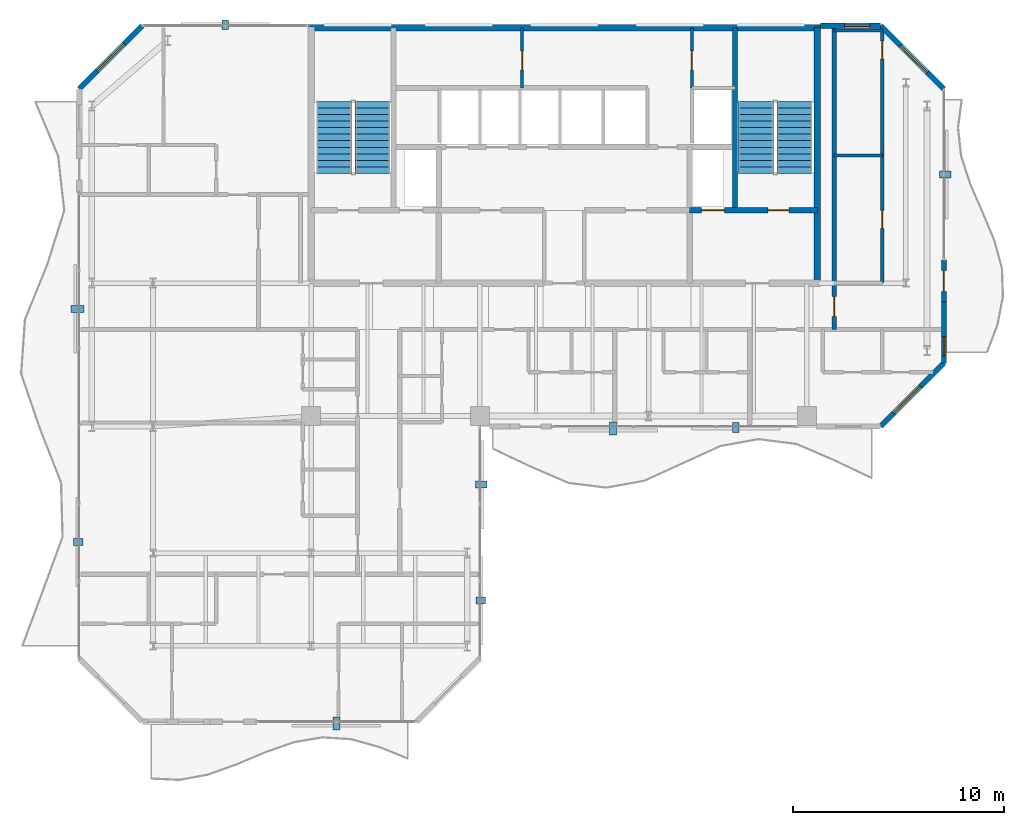
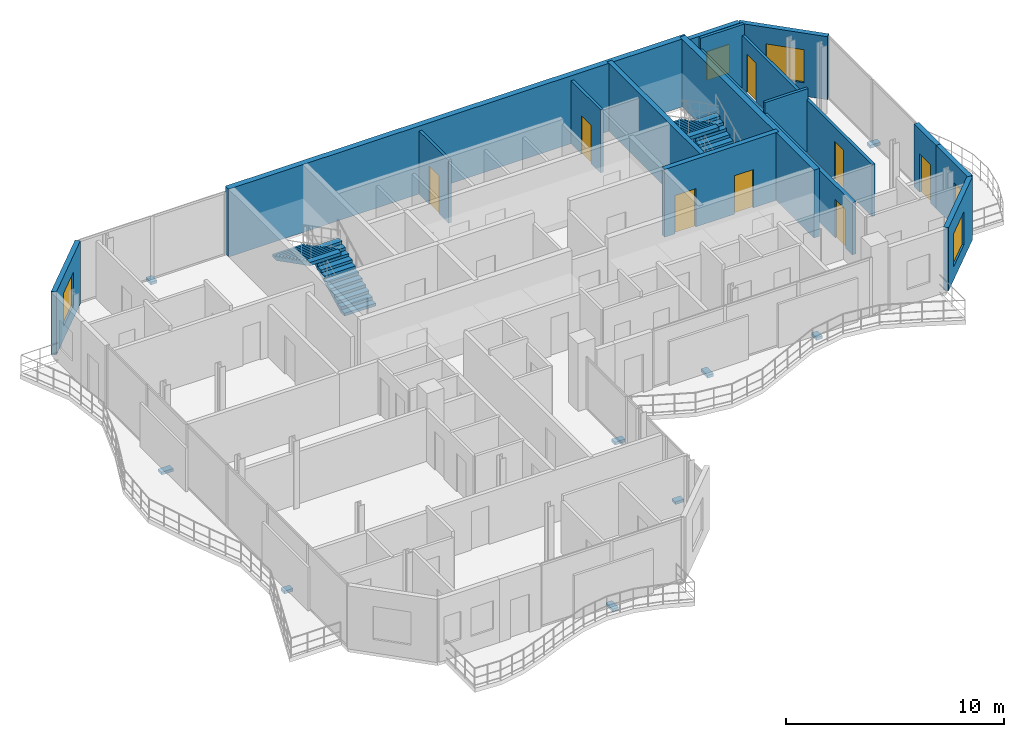
# One storey, part 20 of 22: 16 walls, 9 discrete accessories, 8 doors, 5 windows, 4 stair flights, 13 openings, 2 elements without a shape of their own.
"""IFC4 building model written with IfcOpenShell, lengths in metres."""

from ifc_helpers import new_model, si_unit, direction, frame, frame_2d, origin, origin_2d, place, context, subcontext, project, spatial, polyline, rectangle, outline, extrude, material, layer, layer_set, type_object, element, fill, aggregate, save


model = new_model("IFC4")

# Units and contexts
model_context = context("Model", 3, precision=1e-05, world=origin(), true_north=direction((0.0, 1.0)))
body_context = subcontext(model_context, "Body", "Model", "MODEL_VIEW")
ifc_project = project(units=[si_unit("LENGTHUNIT", "METRE"), si_unit("AREAUNIT", "SQUARE_METRE"), si_unit("VOLUMEUNIT", "CUBIC_METRE"), si_unit("PLANEANGLEUNIT", "RADIAN"), si_unit("MASSUNIT", "GRAM", prefix="KILO")], contexts=[model_context])

# Site, building, storey
site_placement = place(None, origin())
site = spatial("IfcSite", under=ifc_project, at=site_placement, CompositionType="ELEMENT")
building_placement = place(site_placement, origin())
building = spatial("IfcBuilding", under=site, at=building_placement, Name="Catumbela Crestline Tower", CompositionType="ELEMENT")
storey_placement = place(building_placement, frame((0.0, 0.0, 233.6)))
storey = spatial("IfcBuildingStorey", under=building, at=storey_placement, Name="L60", CompositionType="ELEMENT", Elevation=233.6)

# Wall
ifc_material_1 = material(Name="Concrete C50/60", Category="concrete")
ifc_layer_1 = layer(ifc_material_1, 0.25, Name="Concrete C50/60")
ifc_layer_set_1 = layer_set([ifc_layer_1], Name="Concrete C50/60")
wall_type_1 = type_object("IfcWallType", Name="CW-250D", PredefinedType="SHEAR", material=ifc_layer_set_1)
wall_1_placement = place(storey_placement, frame((36.1, 34.25, 0.0), z_axis=(0.0, 0.0, 1.0), x_axis=(0.0, 1.0, 0.0)))
element("IfcWall", 1, at=wall_1_placement, inside=storey, type_object=wall_type_1, Name="L60 Structural Core Shear Wall EWEB", PredefinedType="SHEAR", context=body_context, shape_type="SweptSolid", body=[
    extrude(rectangle(XDim=8.65, YDim=0.25, at=frame_2d((4.325, 0.0))), origin(), (0.0, 0.0, 1.0), 3.8),
])

# Wall, openings, doors
wall_2_placement = place(storey_placement, frame((33.95, 34.25, 0.0), z_axis=(0.0, 0.0, 1.0), x_axis=(1.0, 0.0, 0.0)))
wall_2 = element("IfcWall", 2, at=wall_2_placement, inside=storey, type_object=wall_type_1, Name="L60 Structural Core Shear Wall ST2S", PredefinedType="SHEAR", context=body_context, shape_type="SweptSolid", body=[
    extrude(rectangle(XDim=6.05, YDim=0.25, at=frame_2d((3.025, 0.0))), origin(), (0.0, 0.0, 1.0), 3.8),
])
opening_1_placement = place(wall_2_placement, frame((3.7, 0.0, 0.0)))
opening_1 = element("IfcOpeningElement", 3, at=opening_1_placement, cuts=wall_2, Name="Opening DF9-100", PredefinedType="OPENING", context=body_context, shape_type="SweptSolid", body=[
    extrude(rectangle(XDim=1.0, YDim=2.15, at=frame_2d((0.5, 1.075))), frame((0.0, 0.135, 0.0), z_axis=(0.0, -1.0, 0.0), x_axis=(1.0, 0.0, 0.0)), (0.0, 0.0, 1.0), 0.27),
])
opening_2_placement = place(wall_2_placement, frame((0.55, 0.0, 0.0)))
opening_2 = element("IfcOpeningElement", 4, at=opening_2_placement, cuts=wall_2, Name="Opening LD-110", PredefinedType="OPENING", context=body_context, shape_type="SweptSolid", body=[
    extrude(rectangle(XDim=1.1, YDim=2.15, at=frame_2d((0.55, 1.075))), frame((0.0, 0.135, 0.0), z_axis=(0.0, -1.0, 0.0), x_axis=(1.0, 0.0, 0.0)), (0.0, 0.0, 1.0), 0.27),
])
ifc_material_2 = material(Name="Stainless steel EN 1.4401", Category="steel")
door_type_1 = type_object("IfcDoorType", Name="DF9-100", OperationType="NOTDEFINED", PredefinedType="DOOR", material=ifc_material_2)
door_1_placement = place(opening_1_placement, origin())
door_1 = element("IfcDoor", 5, at=door_1_placement, inside=storey, type_object=door_type_1, Name="L60 Interior Door DR-L60-ST02", OperationType="SINGLE_SWING_RIGHT", OverallHeight=2.15, OverallWidth=1.0, PredefinedType="DOOR", context=body_context, shape_type="SweptSolid", body=[
    extrude(rectangle(XDim=1.0, YDim=2.15, at=frame_2d((0.5, 1.075))), frame((0.0, 0.025, 0.0), z_axis=(0.0, -1.0, 0.0), x_axis=(1.0, 0.0, 0.0)), (0.0, 0.0, 1.0), 0.05),
])
fill(opening_1, door_1)
door_type_2 = type_object("IfcDoorType", Name="LD-110", OperationType="NOTDEFINED", PredefinedType="DOOR", material=ifc_material_2)
door_2_placement = place(opening_2_placement, origin())
door_2 = element("IfcDoor", 6, at=door_2_placement, inside=storey, type_object=door_type_2, Name="L60 Lift Landing Sliding Door FL-02", OperationType="DOUBLE_DOOR_SLIDING", OverallHeight=2.15, OverallWidth=1.1, PredefinedType="DOOR", context=body_context, shape_type="SweptSolid", body=[
    extrude(rectangle(XDim=1.1, YDim=2.15, at=frame_2d((0.55, 1.075))), frame((0.0, 0.025, 0.0), z_axis=(0.0, -1.0, 0.0), x_axis=(1.0, 0.0, 0.0)), (0.0, 0.0, 1.0), 0.05),
])
fill(opening_2, door_2)

# Walls
ifc_material_3 = material(Name="Concrete C45/55", Category="concrete")
ifc_layer_2 = layer(ifc_material_3, 0.3, Name="Concrete C45/55")
ifc_layer_set_2 = layer_set([ifc_layer_2], Name="Concrete C45/55")
wall_type_2 = type_object("IfcWallType", Name="CW-300C", PredefinedType="SHEAR", material=ifc_layer_set_2)
wall_3_placement = place(storey_placement, frame((40.0, 30.65, 0.0), z_axis=(0.0, 0.0, 1.0), x_axis=(0.0, 1.0, 0.0)))
element("IfcWall", 7, at=wall_3_placement, inside=storey, type_object=wall_type_2, Name="L60 Structural Core Shear Wall E", PredefinedType="SHEAR", context=body_context, shape_type="SweptSolid", body=[
    extrude(rectangle(XDim=12.3, YDim=0.3, at=frame_2d((6.15, 0.0))), origin(), (0.0, 0.0, 1.0), 3.8),
])
ifc_layer_3 = layer(ifc_material_3, 0.3, Name="Concrete C45/55")
ifc_layer_set_3 = layer_set([ifc_layer_3], Name="Concrete C45/55")
wall_type_3 = type_object("IfcWallType", Name="CW-300E", PredefinedType="SHEAR", material=ifc_layer_set_3)
wall_4_placement = place(storey_placement, frame((15.85, 42.9, 0.0), z_axis=(0.0, 0.0, 1.0), x_axis=(1.0, 0.0, 0.0)))
element("IfcWall", 8, at=wall_4_placement, inside=storey, type_object=wall_type_3, Name="L60 Structural Core Shear Wall N", PredefinedType="SHEAR", context=body_context, shape_type="SweptSolid", body=[
    extrude(rectangle(XDim=24.3, YDim=0.3, at=frame_2d((12.15, 0.0))), origin(), (0.0, 0.0, 1.0), 3.8),
])

# Wall, opening, door
ifc_material_4 = material(Name="Acoustic gypsum and mineral-wool partition")
ifc_layer_4 = layer(ifc_material_4, 0.2, Name="Acoustic gypsum and mineral-wool partition")
ifc_layer_set_4 = layer_set([ifc_layer_4], Name="Acoustic gypsum and mineral-wool partition")
wall_type_4 = type_object("IfcWallType", Name="WC-200", PredefinedType="PARTITIONING", material=ifc_layer_set_4)
wall_5_placement = place(storey_placement, frame((40.8, 28.6, 0.0), z_axis=(0.0, 0.0, 1.0), x_axis=(0.0, 1.0, 0.0)))
wall_5 = element("IfcWall", 9, at=wall_5_placement, inside=storey, type_object=wall_type_4, Name="L60 Interior Partition PW-L60-NE1-ENT", PredefinedType="PARTITIONING", context=body_context, shape_type="SweptSolid", body=[
    extrude(rectangle(XDim=14.3, YDim=0.2, at=frame_2d((7.15, 0.0))), origin(), (0.0, 0.0, 1.0), 2.92),
])
opening_3_placement = place(wall_5_placement, frame((0.625, 0.0, 0.0)))
opening_3 = element("IfcOpeningElement", 10, at=opening_3_placement, cuts=wall_5, Name="Opening DF6-095", PredefinedType="OPENING", context=body_context, shape_type="SweptSolid", body=[
    extrude(rectangle(XDim=0.95, YDim=2.15, at=frame_2d((0.475, 1.075))), frame((0.0, 0.11, 0.0), z_axis=(0.0, -1.0, 0.0), x_axis=(1.0, 0.0, 0.0)), (0.0, 0.0, 1.0), 0.22),
])
ifc_material_5 = material(Name="Aluminium alloy AW-6060-T66", Category="aluminium")
door_type_3 = type_object("IfcDoorType", Name="DF6-095", OperationType="NOTDEFINED", PredefinedType="DOOR", material=ifc_material_5)
door_3_placement = place(opening_3_placement, origin())
door_3 = element("IfcDoor", 11, at=door_3_placement, inside=storey, type_object=door_type_3, Name="L60 Interior Door DR-L60-NE1-ENT", OperationType="SINGLE_SWING_LEFT", OverallHeight=2.15, OverallWidth=0.95, PredefinedType="DOOR", context=body_context, shape_type="SweptSolid", body=[
    extrude(rectangle(XDim=0.95, YDim=2.15, at=frame_2d((0.475, 1.075))), frame((0.0, 0.025, 0.0), z_axis=(0.0, -1.0, 0.0), x_axis=(1.0, 0.0, 0.0)), (0.0, 0.0, 1.0), 0.05),
])
fill(opening_3, door_3)

# Wall, opening, window
ifc_material_6 = material(Name="Angolan grey-ochre granite", Category="masonry")
ifc_layer_5 = layer(ifc_material_6, 0.25, Name="Angolan grey-ochre granite")
ifc_layer_set_5 = layer_set([ifc_layer_5], Name="Angolan grey-ochre granite")
wall_type_5 = type_object("IfcWallType", Name="WE-250", PredefinedType="STANDARD", material=ifc_layer_set_5)
wall_6_placement = place(storey_placement, frame((43.0, 24.0, 0.0), z_axis=(0.0, 0.0, 1.0), x_axis=(0.707106781187, 0.707106781187, 0.0)))
wall_6 = element("IfcWall", 12, at=wall_6_placement, inside=storey, type_object=wall_type_5, Name="L60 Granite Punched Window Wall 4-1", PredefinedType="STANDARD", context=body_context, shape_type="SweptSolid", body=[
    extrude(rectangle(XDim=4.2426, YDim=0.25, at=frame_2d((2.1213, 0.0))), origin(), (0.0, 0.0, 1.0), 3.53),
])
opening_4_placement = place(wall_6_placement, frame((0.8962, 0.0, 0.75)))
opening_4 = element("IfcOpeningElement", 13, at=opening_4_placement, cuts=wall_6, Name="Opening WN-01", PredefinedType="OPENING", context=body_context, shape_type="SweptSolid", body=[
    extrude(rectangle(XDim=1.8, YDim=1.85, at=frame_2d((0.9, 0.925))), frame((0.0, 0.135, 0.0), z_axis=(0.0, -1.0, 0.0), x_axis=(1.0, 0.0, 0.0)), (0.0, 0.0, 1.0), 0.27),
])
ifc_material_7 = material(Name="Low-E laminated solar-control double glazing", Category="glass")
window_type_1 = type_object("IfcWindowType", Name="WF-1800", PartitioningType="SINGLE_PANEL", PredefinedType="WINDOW", material=ifc_material_7)
window_1_placement = place(opening_4_placement, origin())
window_1 = element("IfcWindow", 14, at=window_1_placement, inside=storey, type_object=window_type_1, Name="L60 Facade Vision Window 433", OverallHeight=1.85, OverallWidth=1.8, PartitioningType="SINGLE_PANEL", PredefinedType="WINDOW", context=body_context, shape_type="SweptSolid", body=[
    extrude(rectangle(XDim=1.8, YDim=1.85, at=frame_2d((0.9, 0.925))), frame((0.0, 0.03, 0.0), z_axis=(0.0, -1.0, 0.0), x_axis=(1.0, 0.0, 0.0)), (0.0, 0.0, 1.0), 0.06),
])
fill(opening_4, window_1)

# Wall, opening, door
wall_7_placement = place(storey_placement, frame((46.0, 29.9, 0.0), z_axis=(0.0, 0.0, 1.0), x_axis=(0.0, 1.0, 0.0)))
wall_7 = element("IfcWall", 15, at=wall_7_placement, inside=storey, type_object=wall_type_5, Name="L60 Exterior Threshold Portal Wall DR-L60-WBAL-2", PredefinedType="STANDARD", context=body_context, shape_type="SweptSolid", body=[
    extrude(rectangle(XDim=2.0, YDim=0.25, at=frame_2d((1.0, 0.0))), origin(), (0.0, 0.0, 1.0), 3.53),
])
opening_5_placement = place(wall_7_placement, frame((0.5, 0.0, 0.0)))
opening_5 = element("IfcOpeningElement", 16, at=opening_5_placement, cuts=wall_7, Name="Opening DB-L60-2", PredefinedType="OPENING", context=body_context, shape_type="SweptSolid", body=[
    extrude(rectangle(XDim=1.0, YDim=2.15, at=frame_2d((0.5, 1.075))), frame((0.0, 0.135, 0.0), z_axis=(0.0, -1.0, 0.0), x_axis=(1.0, 0.0, 0.0)), (0.0, 0.0, 1.0), 0.27),
])
door_type_4 = type_object("IfcDoorType", Name="DB-1000", OperationType="NOTDEFINED", PredefinedType="DOOR", material=ifc_material_5)
door_4_placement = place(opening_5_placement, origin())
door_4 = element("IfcDoor", 17, at=door_4_placement, inside=storey, type_object=door_type_4, Name="L60 Wave Balcony Terrace Door 2", OperationType="SINGLE_SWING_LEFT", OverallHeight=2.15, OverallWidth=1.0, PredefinedType="DOOR", context=body_context, shape_type="SweptSolid", body=[
    extrude(rectangle(XDim=1.0, YDim=2.15, at=frame_2d((0.5, 1.075))), frame((0.0, 0.025, 0.0), z_axis=(0.0, -1.0, 0.0), x_axis=(1.0, 0.0, 0.0)), (0.0, 0.0, 1.0), 0.05),
])
fill(opening_5, door_4)

# Wall, opening, window
wall_8_placement = place(storey_placement, frame((46.0, 27.0, 0.0), z_axis=(0.0, 0.0, 1.0), x_axis=(0.0, 1.0, 0.0)))
wall_8 = element("IfcWall", 18, at=wall_8_placement, inside=storey, type_object=wall_type_5, Name="L60 Granite Punched Window Wall 5-1", PredefinedType="STANDARD", context=body_context, shape_type="SweptSolid", body=[
    extrude(rectangle(XDim=2.9, YDim=0.25, at=frame_2d((1.45, 0.0))), origin(), (0.0, 0.0, 1.0), 3.53),
])
opening_6_placement = place(wall_8_placement, frame((0.36, 0.0, 0.9)))
opening_6 = element("IfcOpeningElement", 19, at=opening_6_placement, cuts=wall_8, Name="Opening WN-03", PredefinedType="OPENING", context=body_context, shape_type="SweptSolid", body=[
    extrude(rectangle(XDim=0.9, YDim=1.55, at=frame_2d((0.45, 0.775))), frame((0.0, 0.135, 0.0), z_axis=(0.0, -1.0, 0.0), x_axis=(1.0, 0.0, 0.0)), (0.0, 0.0, 1.0), 0.27),
])
window_type_2 = type_object("IfcWindowType", Name="WO-0900", PartitioningType="SINGLE_PANEL", PredefinedType="WINDOW", material=ifc_material_7)
window_2_placement = place(opening_6_placement, origin())
window_2 = element("IfcWindow", 20, at=window_2_placement, inside=storey, type_object=window_type_2, Name="L60 Facade Vision Window 434", OverallHeight=1.55, OverallWidth=0.9, PartitioningType="SINGLE_PANEL", PredefinedType="WINDOW", context=body_context, shape_type="SweptSolid", body=[
    extrude(rectangle(XDim=0.9, YDim=1.55, at=frame_2d((0.45, 0.775))), frame((0.0, 0.03, 0.0), z_axis=(0.0, -1.0, 0.0), x_axis=(1.0, 0.0, 0.0)), (0.0, 0.0, 1.0), 0.06),
])
fill(opening_6, window_2)

wall_9_placement = place(storey_placement, frame((46.0, 40.0, 0.0), z_axis=(0.0, 0.0, 1.0), x_axis=(-0.707106781187, 0.707106781187, 0.0)))
wall_9 = element("IfcWall", 21, at=wall_9_placement, inside=storey, type_object=wall_type_5, Name="L60 Granite Punched Window Wall 6-1", PredefinedType="STANDARD", context=body_context, shape_type="SweptSolid", body=[
    extrude(rectangle(XDim=4.2426, YDim=0.25, at=frame_2d((2.1213, 0.0))), origin(), (0.0, 0.0, 1.0), 3.53),
])
opening_7_placement = place(wall_9_placement, frame((1.1111, 0.0, 0.75)))
opening_7 = element("IfcOpeningElement", 22, at=opening_7_placement, cuts=wall_9, Name="Opening WN-01", PredefinedType="OPENING", context=body_context, shape_type="SweptSolid", body=[
    extrude(rectangle(XDim=1.8, YDim=1.85, at=frame_2d((0.9, 0.925))), frame((0.0, 0.135, 0.0), z_axis=(0.0, -1.0, 0.0), x_axis=(1.0, 0.0, 0.0)), (0.0, 0.0, 1.0), 0.27),
])
window_3_placement = place(opening_7_placement, origin())
window_3 = element("IfcWindow", 23, at=window_3_placement, inside=storey, type_object=window_type_1, Name="L60 Facade Vision Window 435", OverallHeight=1.85, OverallWidth=1.8, PartitioningType="SINGLE_PANEL", PredefinedType="WINDOW", context=body_context, shape_type="SweptSolid", body=[
    extrude(rectangle(XDim=1.8, YDim=1.85, at=frame_2d((0.9, 0.925))), frame((0.0, 0.03, 0.0), z_axis=(0.0, -1.0, 0.0), x_axis=(1.0, 0.0, 0.0)), (0.0, 0.0, 1.0), 0.06),
])
fill(opening_7, window_3)

wall_10_placement = place(storey_placement, frame((43.0, 43.0, 0.0), z_axis=(0.0, 0.0, 1.0), x_axis=(-1.0, 0.0, 0.0)))
wall_10 = element("IfcWall", 24, at=wall_10_placement, inside=storey, type_object=wall_type_5, Name="L60 Granite Punched Window Wall 7-1", PredefinedType="STANDARD", context=body_context, shape_type="SweptSolid", body=[
    extrude(rectangle(XDim=2.86, YDim=0.25, at=frame_2d((1.43, 0.0))), origin(), (0.0, 0.0, 1.0), 3.53),
])
opening_8_placement = place(wall_10_placement, frame((0.51, 0.0, 0.85)))
opening_8 = element("IfcOpeningElement", 25, at=opening_8_placement, cuts=wall_10, Name="Opening WN-02", PredefinedType="OPENING", context=body_context, shape_type="SweptSolid", body=[
    extrude(rectangle(XDim=1.2, YDim=1.6, at=frame_2d((0.6, 0.8))), frame((0.0, 0.135, 0.0), z_axis=(0.0, -1.0, 0.0), x_axis=(1.0, 0.0, 0.0)), (0.0, 0.0, 1.0), 0.27),
])
window_type_3 = type_object("IfcWindowType", Name="WO-1200", PartitioningType="SINGLE_PANEL", PredefinedType="WINDOW", material=ifc_material_7)
window_4_placement = place(opening_8_placement, origin())
window_4 = element("IfcWindow", 26, at=window_4_placement, inside=storey, type_object=window_type_3, Name="L60 Facade Vision Window 436", OverallHeight=1.6, OverallWidth=1.2, PartitioningType="SINGLE_PANEL", PredefinedType="WINDOW", context=body_context, shape_type="SweptSolid", body=[
    extrude(rectangle(XDim=1.2, YDim=1.6, at=frame_2d((0.6, 0.8))), frame((0.0, 0.03, 0.0), z_axis=(0.0, -1.0, 0.0), x_axis=(1.0, 0.0, 0.0)), (0.0, 0.0, 1.0), 0.06),
])
fill(opening_8, window_4)

wall_11_placement = place(storey_placement, frame((8.0, 43.0, 0.0), z_axis=(0.0, 0.0, 1.0), x_axis=(-0.707106781187, -0.707106781187, 0.0)))
wall_11 = element("IfcWall", 27, at=wall_11_placement, inside=storey, type_object=wall_type_5, Name="L60 Granite Punched Window Wall 8-1", PredefinedType="STANDARD", context=body_context, shape_type="SweptSolid", body=[
    extrude(rectangle(XDim=4.2426, YDim=0.25, at=frame_2d((2.1213, 0.0))), origin(), (0.0, 0.0, 1.0), 3.53),
])
opening_9_placement = place(wall_11_placement, frame((1.2213, 0.0, 0.75)))
opening_9 = element("IfcOpeningElement", 28, at=opening_9_placement, cuts=wall_11, Name="Opening WN-01", PredefinedType="OPENING", context=body_context, shape_type="SweptSolid", body=[
    extrude(rectangle(XDim=1.8, YDim=1.85, at=frame_2d((0.9, 0.925))), frame((0.0, 0.135, 0.0), z_axis=(0.0, -1.0, 0.0), x_axis=(1.0, 0.0, 0.0)), (0.0, 0.0, 1.0), 0.27),
])
window_5_placement = place(opening_9_placement, origin())
window_5 = element("IfcWindow", 29, at=window_5_placement, inside=storey, type_object=window_type_1, Name="L60 Facade Vision Window 437", OverallHeight=1.85, OverallWidth=1.8, PartitioningType="SINGLE_PANEL", PredefinedType="WINDOW", context=body_context, shape_type="SweptSolid", body=[
    extrude(rectangle(XDim=1.8, YDim=1.85, at=frame_2d((0.9, 0.925))), frame((0.0, 0.03, 0.0), z_axis=(0.0, -1.0, 0.0), x_axis=(1.0, 0.0, 0.0)), (0.0, 0.0, 1.0), 0.06),
])
fill(opening_9, window_5)

# Wall, opening, door
ifc_layer_6 = layer(ifc_material_4, 0.15, Name="Acoustic gypsum and mineral-wool partition")
ifc_layer_set_6 = layer_set([ifc_layer_6], Name="Acoustic gypsum and mineral-wool partition")
wall_type_6 = type_object("IfcWallType", Name="WP-150", PredefinedType="PARTITIONING", material=ifc_layer_set_6)
wall_12_placement = place(storey_placement, frame((34.05, 40.05, 0.0), z_axis=(0.0, 0.0, 1.0), x_axis=(0.0, 1.0, 0.0)))
wall_12 = element("IfcWall", 30, at=wall_12_placement, inside=storey, type_object=wall_type_6, Name="L60 Interior Partition PW-L60-CR-EW", PredefinedType="PARTITIONING", context=body_context, shape_type="SweptSolid", body=[
    extrude(rectangle(XDim=2.85, YDim=0.15, at=frame_2d((1.425, 0.0))), origin(), (0.0, 0.0, 1.0), 3.53),
])
opening_10_placement = place(wall_12_placement, frame((0.865, 0.0, 0.0)))
opening_10 = element("IfcOpeningElement", 31, at=opening_10_placement, cuts=wall_12, Name="Opening DF9-090", PredefinedType="OPENING", context=body_context, shape_type="SweptSolid", body=[
    extrude(rectangle(XDim=0.9, YDim=2.15, at=frame_2d((0.45, 1.075))), frame((0.0, 0.085, 0.0), z_axis=(0.0, -1.0, 0.0), x_axis=(1.0, 0.0, 0.0)), (0.0, 0.0, 1.0), 0.17),
])
door_type_5 = type_object("IfcDoorType", Name="DF9-090", OperationType="NOTDEFINED", PredefinedType="DOOR", material=ifc_material_2)
door_5_placement = place(opening_10_placement, origin())
door_5 = element("IfcDoor", 32, at=door_5_placement, inside=storey, type_object=door_type_5, Name="L60 Interior Door DR-L60-CREAST", OperationType="SINGLE_SWING_RIGHT", OverallHeight=2.15, OverallWidth=0.9, PredefinedType="DOOR", context=body_context, shape_type="SweptSolid", body=[
    extrude(rectangle(XDim=0.9, YDim=2.15, at=frame_2d((0.45, 1.075))), frame((0.0, 0.025, 0.0), z_axis=(0.0, -1.0, 0.0), x_axis=(1.0, 0.0, 0.0)), (0.0, 0.0, 1.0), 0.05),
])
fill(opening_10, door_5)

wall_13_placement = place(storey_placement, frame((26.0, 40.05, 0.0), z_axis=(0.0, 0.0, 1.0), x_axis=(0.0, 1.0, 0.0)))
wall_13 = element("IfcWall", 33, at=wall_13_placement, inside=storey, type_object=wall_type_6, Name="L60 Interior Partition PW-L60-CR-WW", PredefinedType="PARTITIONING", context=body_context, shape_type="SweptSolid", body=[
    extrude(rectangle(XDim=2.85, YDim=0.15, at=frame_2d((1.425, 0.0))), origin(), (0.0, 0.0, 1.0), 3.53),
])
opening_11_placement = place(wall_13_placement, frame((0.865, 0.0, 0.0)))
opening_11 = element("IfcOpeningElement", 34, at=opening_11_placement, cuts=wall_13, Name="Opening DF9-090", PredefinedType="OPENING", context=body_context, shape_type="SweptSolid", body=[
    extrude(rectangle(XDim=0.9, YDim=2.15, at=frame_2d((0.45, 1.075))), frame((0.0, 0.085, 0.0), z_axis=(0.0, -1.0, 0.0), x_axis=(1.0, 0.0, 0.0)), (0.0, 0.0, 1.0), 0.17),
])
door_6_placement = place(opening_11_placement, origin())
door_6 = element("IfcDoor", 35, at=door_6_placement, inside=storey, type_object=door_type_5, Name="L60 Interior Door DR-L60-CRWEST", OperationType="SINGLE_SWING_LEFT", OverallHeight=2.15, OverallWidth=0.9, PredefinedType="DOOR", context=body_context, shape_type="SweptSolid", body=[
    extrude(rectangle(XDim=0.9, YDim=2.15, at=frame_2d((0.45, 1.075))), frame((0.0, 0.025, 0.0), z_axis=(0.0, -1.0, 0.0), x_axis=(1.0, 0.0, 0.0)), (0.0, 0.0, 1.0), 0.05),
])
fill(opening_11, door_6)

# Wall
wall_14_placement = place(storey_placement, frame((40.8, 36.85, 0.0), z_axis=(0.0, 0.0, 1.0), x_axis=(1.0, 0.0, 0.0)))
element("IfcWall", 36, at=wall_14_placement, inside=storey, type_object=wall_type_6, Name="L60 Interior Partition PW-L60-NE1-KBM", PredefinedType="PARTITIONING", context=body_context, shape_type="SweptSolid", body=[
    extrude(rectangle(XDim=2.28, YDim=0.15, at=frame_2d((1.14, 0.0))), origin(), (0.0, 0.0, 1.0), 3.53),
])

# Wall, openings, doors
wall_15_placement = place(storey_placement, frame((43.08, 30.8, 0.0), z_axis=(0.0, 0.0, 1.0), x_axis=(0.0, 1.0, 0.0)))
wall_15 = element("IfcWall", 37, at=wall_15_placement, inside=storey, type_object=wall_type_6, Name="L60 Interior Partition PW-L60-NE1-SK1", PredefinedType="PARTITIONING", context=body_context, shape_type="SweptSolid", body=[
    extrude(rectangle(XDim=12.02, YDim=0.15, at=frame_2d((6.01, 0.0))), origin(), (0.0, 0.0, 1.0), 2.92),
])
opening_12_placement = place(wall_15_placement, frame((2.6, 0.0, 0.0)))
opening_12 = element("IfcOpeningElement", 38, at=opening_12_placement, cuts=wall_15, Name="Opening DI-085", PredefinedType="OPENING", context=body_context, shape_type="SweptSolid", body=[
    extrude(rectangle(XDim=0.85, YDim=2.15, at=frame_2d((0.425, 1.075))), frame((0.0, 0.085, 0.0), z_axis=(0.0, -1.0, 0.0), x_axis=(1.0, 0.0, 0.0)), (0.0, 0.0, 1.0), 0.17),
])
opening_13_placement = place(wall_15_placement, frame((10.6287, 0.0, 0.0)))
opening_13 = element("IfcOpeningElement", 39, at=opening_13_placement, cuts=wall_15, Name="Opening DI-085", PredefinedType="OPENING", context=body_context, shape_type="SweptSolid", body=[
    extrude(rectangle(XDim=0.85, YDim=2.15, at=frame_2d((0.425, 1.075))), frame((0.0, 0.085, 0.0), z_axis=(0.0, -1.0, 0.0), x_axis=(1.0, 0.0, 0.0)), (0.0, 0.0, 1.0), 0.17),
])
door_type_6 = type_object("IfcDoorType", Name="DI-085", OperationType="NOTDEFINED", PredefinedType="DOOR", material=ifc_material_5)
door_7_placement = place(opening_12_placement, origin())
door_7 = element("IfcDoor", 40, at=door_7_placement, inside=storey, type_object=door_type_6, Name="L60 Interior Door DR-L60-NE1-KIT", OperationType="SINGLE_SWING_LEFT", OverallHeight=2.15, OverallWidth=0.85, PredefinedType="DOOR", context=body_context, shape_type="SweptSolid", body=[
    extrude(rectangle(XDim=0.85, YDim=2.15, at=frame_2d((0.425, 1.075))), frame((0.0, 0.025, 0.0), z_axis=(0.0, -1.0, 0.0), x_axis=(1.0, 0.0, 0.0)), (0.0, 0.0, 1.0), 0.05),
])
fill(opening_12, door_7)
door_8_placement = place(opening_13_placement, origin())
door_8 = element("IfcDoor", 41, at=door_8_placement, inside=storey, type_object=door_type_6, Name="L60 Interior Door DR-L60-NE1-BTH", OperationType="SINGLE_SWING_RIGHT", OverallHeight=2.15, OverallWidth=0.85, PredefinedType="DOOR", context=body_context, shape_type="SweptSolid", body=[
    extrude(rectangle(XDim=0.85, YDim=2.15, at=frame_2d((0.425, 1.075))), frame((0.0, 0.025, 0.0), z_axis=(0.0, -1.0, 0.0), x_axis=(1.0, 0.0, 0.0)), (0.0, 0.0, 1.0), 0.05),
])
fill(opening_13, door_8)

# Wall
wall_16_placement = place(storey_placement, frame((40.8, 42.78, 0.0), z_axis=(0.0, 0.0, 1.0), x_axis=(1.0, 0.0, 0.0)))
element("IfcWall", 42, at=wall_16_placement, inside=storey, type_object=wall_type_6, Name="L60 Interior Partition PW-L60-NE1-BTH-BCL-2", PredefinedType="PARTITIONING", context=body_context, shape_type="SweptSolid", body=[
    extrude(rectangle(XDim=2.32, YDim=0.15, at=frame_2d((1.16, 0.0))), origin(), (0.0, 0.0, 1.0), 3.53),
])

# Stair, stair flights
stair_type = type_object("IfcStairType", Name="ST-DLG", PredefinedType="HALF_TURN_STAIR", material=ifc_material_3)
stair_1_placement = place(storey_placement, origin())
stair_1 = element("IfcStair", 43, at=stair_1_placement, inside=storey, type_object=stair_type, Name="L60 West Core Pressurised Exit Stair ST-01", PredefinedType="HALF_TURN_STAIR")
stair_flight_type = type_object("IfcStairFlightType", Name="SF-1583", PredefinedType="STRAIGHT", material=ifc_material_3)
stair_flight_1_placement = place(storey_placement, frame((18.92, 36.0, 0.0), z_axis=(0.0, 0.0, 1.0), x_axis=(0.0, 1.0, 0.0)))
stair_flight_1 = element("IfcStairFlight", 44, at=stair_flight_1_placement, type_object=stair_flight_type, Name="ST-01 flight 1", NumberOfRisers=12, NumberOfTreads=11, PredefinedType="STRAIGHT", RiserHeight=0.158333333, TreadLength=0.31, context=body_context, shape_type="SweptSolid", body=[
    extrude(outline(polyline([(0.0, 0.0), (0.0, 0.1583), (0.31, 0.1583), (0.31, 0.3167), (0.62, 0.3167), (0.62, 0.475), (0.93, 0.475), (0.93, 0.6333), (1.24, 0.6333), (1.24, 0.7917), (1.55, 0.7917), (1.55, 0.95), (1.86, 0.95), (1.86, 1.1083), (2.17, 1.1083), (2.17, 1.2667), (2.48, 1.2667), (2.48, 1.425), (2.79, 1.425), (2.79, 1.5833), (3.1, 1.5833), (3.1, 1.7417), (3.41, 1.7417), (3.41, 1.9), (3.41, 1.562), (0.3518, 0.0), (0.0, 0.0)])), frame((0.0, 0.83, 0.0), z_axis=(0.0, -1.0, 0.0), x_axis=(1.0, 0.0, 0.0)), (0.0, 0.0, 1.0), 1.66),
])
stair_flight_2_placement = place(storey_placement, frame((17.08, 39.41, 1.9), z_axis=(0.0, 0.0, 1.0), x_axis=(0.0, -1.0, 0.0)))
stair_flight_2 = element("IfcStairFlight", 45, at=stair_flight_2_placement, type_object=stair_flight_type, Name="ST-01 flight 2", NumberOfRisers=12, NumberOfTreads=11, PredefinedType="STRAIGHT", RiserHeight=0.158333333, TreadLength=0.31, context=body_context, shape_type="SweptSolid", body=[
    extrude(outline(polyline([(0.0, 0.0), (0.0, 0.1583), (0.31, 0.1583), (0.31, 0.3167), (0.62, 0.3167), (0.62, 0.475), (0.93, 0.475), (0.93, 0.6333), (1.24, 0.6333), (1.24, 0.7917), (1.55, 0.7917), (1.55, 0.95), (1.86, 0.95), (1.86, 1.1083), (2.17, 1.1083), (2.17, 1.2667), (2.48, 1.2667), (2.48, 1.425), (2.79, 1.425), (2.79, 1.5833), (3.1, 1.5833), (3.1, 1.7417), (3.41, 1.7417), (3.41, 1.9), (3.41, 1.562), (0.3518, 0.0), (0.0, 0.0)])), frame((0.0, 0.83, 0.0), z_axis=(0.0, -1.0, 0.0), x_axis=(1.0, 0.0, 0.0)), (0.0, 0.0, 1.0), 1.66),
])
aggregate(stair_1, [stair_flight_1, stair_flight_2])

stair_2_placement = place(storey_placement, origin())
stair_2 = element("IfcStair", 46, at=stair_2_placement, inside=storey, type_object=stair_type, Name="L60 East Core Pressurised Exit Stair ST-02", PredefinedType="HALF_TURN_STAIR")
stair_flight_3_placement = place(storey_placement, frame((38.92, 36.0, 0.0), z_axis=(0.0, 0.0, 1.0), x_axis=(0.0, 1.0, 0.0)))
stair_flight_3 = element("IfcStairFlight", 47, at=stair_flight_3_placement, type_object=stair_flight_type, Name="ST-02 flight 1", NumberOfRisers=12, NumberOfTreads=11, PredefinedType="STRAIGHT", RiserHeight=0.158333333, TreadLength=0.31, context=body_context, shape_type="SweptSolid", body=[
    extrude(outline(polyline([(0.0, 0.0), (0.0, 0.1583), (0.31, 0.1583), (0.31, 0.3167), (0.62, 0.3167), (0.62, 0.475), (0.93, 0.475), (0.93, 0.6333), (1.24, 0.6333), (1.24, 0.7917), (1.55, 0.7917), (1.55, 0.95), (1.86, 0.95), (1.86, 1.1083), (2.17, 1.1083), (2.17, 1.2667), (2.48, 1.2667), (2.48, 1.425), (2.79, 1.425), (2.79, 1.5833), (3.1, 1.5833), (3.1, 1.7417), (3.41, 1.7417), (3.41, 1.9), (3.41, 1.562), (0.3518, 0.0), (0.0, 0.0)])), frame((0.0, 0.83, 0.0), z_axis=(0.0, -1.0, 0.0), x_axis=(1.0, 0.0, 0.0)), (0.0, 0.0, 1.0), 1.66),
])
stair_flight_4_placement = place(storey_placement, frame((37.08, 39.41, 1.9), z_axis=(0.0, 0.0, 1.0), x_axis=(0.0, -1.0, 0.0)))
stair_flight_4 = element("IfcStairFlight", 48, at=stair_flight_4_placement, type_object=stair_flight_type, Name="ST-02 flight 2", NumberOfRisers=12, NumberOfTreads=11, PredefinedType="STRAIGHT", RiserHeight=0.158333333, TreadLength=0.31, context=body_context, shape_type="SweptSolid", body=[
    extrude(outline(polyline([(0.0, 0.0), (0.0, 0.1583), (0.31, 0.1583), (0.31, 0.3167), (0.62, 0.3167), (0.62, 0.475), (0.93, 0.475), (0.93, 0.6333), (1.24, 0.6333), (1.24, 0.7917), (1.55, 0.7917), (1.55, 0.95), (1.86, 0.95), (1.86, 1.1083), (2.17, 1.1083), (2.17, 1.2667), (2.48, 1.2667), (2.48, 1.425), (2.79, 1.425), (2.79, 1.5833), (3.1, 1.5833), (3.1, 1.7417), (3.41, 1.7417), (3.41, 1.9), (3.41, 1.562), (0.3518, 0.0), (0.0, 0.0)])), frame((0.0, 0.83, 0.0), z_axis=(0.0, -1.0, 0.0), x_axis=(1.0, 0.0, 0.0)), (0.0, 0.0, 1.0), 1.66),
])
aggregate(stair_2, [stair_flight_3, stair_flight_4])

# Discrete accessories
discrete_accessory_type = type_object("IfcDiscreteAccessoryType", Name="BK-SS1", PredefinedType="BRACKET", material=ifc_material_2)
discrete_accessory_1_placement = place(storey_placement, frame((17.2, 9.915, -0.18), z_axis=(0.0, 0.0, 1.0), x_axis=(1.0, 0.0, 0.0)))
element("IfcDiscreteAccessory", 49, at=discrete_accessory_1_placement, inside=storey, type_object=discrete_accessory_type, Name="L60 Solar Screen Stainless Bracket 717", PredefinedType="BRACKET", context=body_context, shape_type="SweptSolid", body=[
    extrude(rectangle(XDim=0.32, YDim=0.62, at=origin_2d()), origin(), (0.0, 0.0, 1.0), 0.16),
])
discrete_accessory_2_placement = place(storey_placement, frame((24.045, 15.75, -0.18), z_axis=(0.0, 0.0, 1.0), x_axis=(0.0, 1.0, 0.0)))
element("IfcDiscreteAccessory", 50, at=discrete_accessory_2_placement, inside=storey, type_object=discrete_accessory_type, Name="L60 Solar Screen Stainless Bracket 718", PredefinedType="BRACKET", context=body_context, shape_type="SweptSolid", body=[
    extrude(rectangle(XDim=0.32, YDim=0.46, at=origin_2d()), origin(), (0.0, 0.0, 1.0), 0.16),
])
discrete_accessory_3_placement = place(storey_placement, frame((24.065, 21.25, -0.18), z_axis=(0.0, 0.0, 1.0), x_axis=(0.0, 1.0, 0.0)))
element("IfcDiscreteAccessory", 51, at=discrete_accessory_3_placement, inside=storey, type_object=discrete_accessory_type, Name="L60 Solar Screen Stainless Bracket 719", PredefinedType="BRACKET", context=body_context, shape_type="SweptSolid", body=[
    extrude(rectangle(XDim=0.32, YDim=0.54, at=origin_2d()), origin(), (0.0, 0.0, 1.0), 0.16),
])
discrete_accessory_4_placement = place(storey_placement, frame((30.3125, 23.915, -0.18), z_axis=(0.0, 0.0, 1.0), x_axis=(1.0, 0.0, 0.0)))
element("IfcDiscreteAccessory", 52, at=discrete_accessory_4_placement, inside=storey, type_object=discrete_accessory_type, Name="L60 Solar Screen Stainless Bracket 720", PredefinedType="BRACKET", context=body_context, shape_type="SweptSolid", body=[
    extrude(rectangle(XDim=0.32, YDim=0.62, at=origin_2d()), origin(), (0.0, 0.0, 1.0), 0.16),
])
discrete_accessory_5_placement = place(storey_placement, frame((36.1375, 23.955, -0.18), z_axis=(0.0, 0.0, 1.0), x_axis=(1.0, 0.0, 0.0)))
element("IfcDiscreteAccessory", 53, at=discrete_accessory_5_placement, inside=storey, type_object=discrete_accessory_type, Name="L60 Solar Screen Stainless Bracket 721", PredefinedType="BRACKET", context=body_context, shape_type="SweptSolid", body=[
    extrude(rectangle(XDim=0.32, YDim=0.46, at=origin_2d()), origin(), (0.0, 0.0, 1.0), 0.16),
])
discrete_accessory_6_placement = place(storey_placement, frame((46.065, 35.95, -0.18), z_axis=(0.0, 0.0, 1.0), x_axis=(0.0, 1.0, 0.0)))
element("IfcDiscreteAccessory", 54, at=discrete_accessory_6_placement, inside=storey, type_object=discrete_accessory_type, Name="L60 Solar Screen Stainless Bracket 722", PredefinedType="BRACKET", context=body_context, shape_type="SweptSolid", body=[
    extrude(rectangle(XDim=0.32, YDim=0.54, at=origin_2d()), origin(), (0.0, 0.0, 1.0), 0.16),
])
discrete_accessory_7_placement = place(storey_placement, frame((11.93, 43.045, -0.18), z_axis=(0.0, 0.0, 1.0), x_axis=(-1.0, 0.0, 0.0)))
element("IfcDiscreteAccessory", 55, at=discrete_accessory_7_placement, inside=storey, type_object=discrete_accessory_type, Name="L60 Solar Screen Stainless Bracket 723", PredefinedType="BRACKET", context=body_context, shape_type="SweptSolid", body=[
    extrude(rectangle(XDim=0.32, YDim=0.46, at=origin_2d()), origin(), (0.0, 0.0, 1.0), 0.16),
])
discrete_accessory_8_placement = place(storey_placement, frame((4.915, 29.575, -0.18), z_axis=(0.0, 0.0, 1.0), x_axis=(0.0, -1.0, 0.0)))
element("IfcDiscreteAccessory", 56, at=discrete_accessory_8_placement, inside=storey, type_object=discrete_accessory_type, Name="L60 Solar Screen Stainless Bracket 724", PredefinedType="BRACKET", context=body_context, shape_type="SweptSolid", body=[
    extrude(rectangle(XDim=0.32, YDim=0.62, at=origin_2d()), origin(), (0.0, 0.0, 1.0), 0.16),
])
discrete_accessory_9_placement = place(storey_placement, frame((4.955, 18.525, -0.18), z_axis=(0.0, 0.0, 1.0), x_axis=(0.0, -1.0, 0.0)))
element("IfcDiscreteAccessory", 57, at=discrete_accessory_9_placement, inside=storey, type_object=discrete_accessory_type, Name="L60 Solar Screen Stainless Bracket 725", PredefinedType="BRACKET", context=body_context, shape_type="SweptSolid", body=[
    extrude(rectangle(XDim=0.32, YDim=0.46, at=origin_2d()), origin(), (0.0, 0.0, 1.0), 0.16),
])

save(model, "model.ifc")
